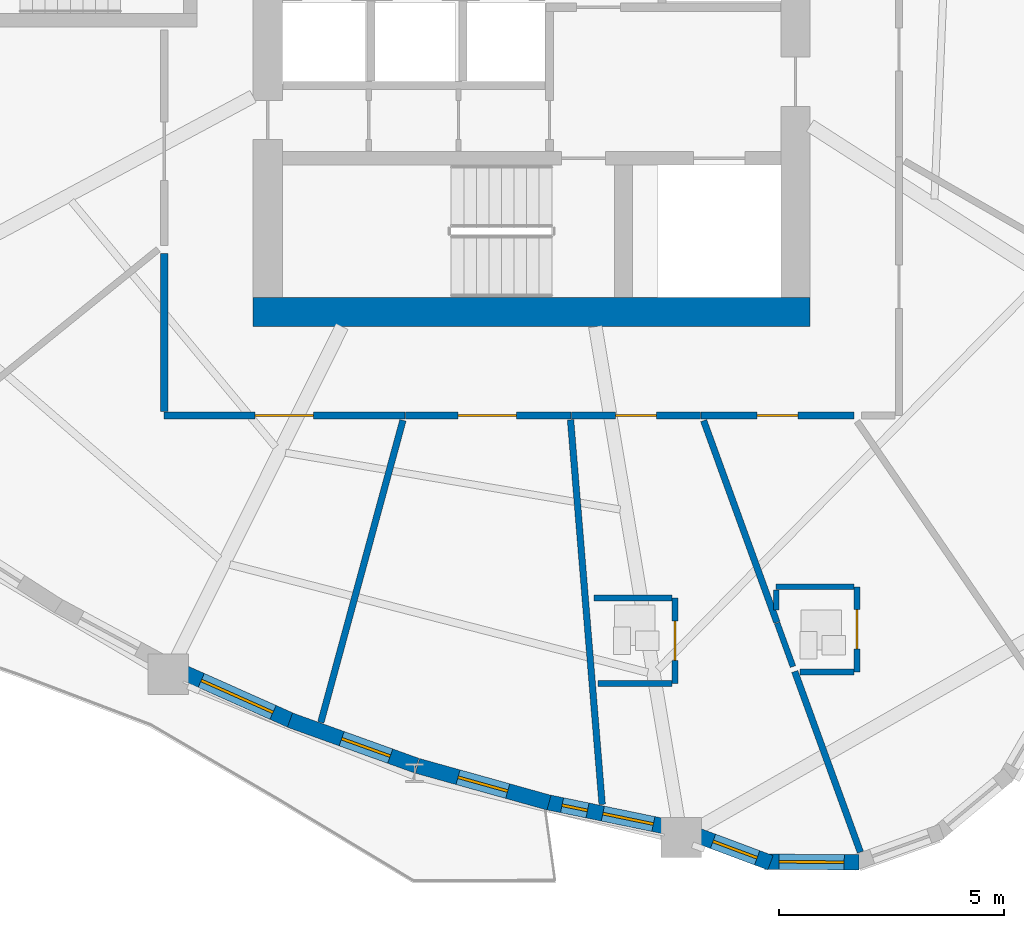
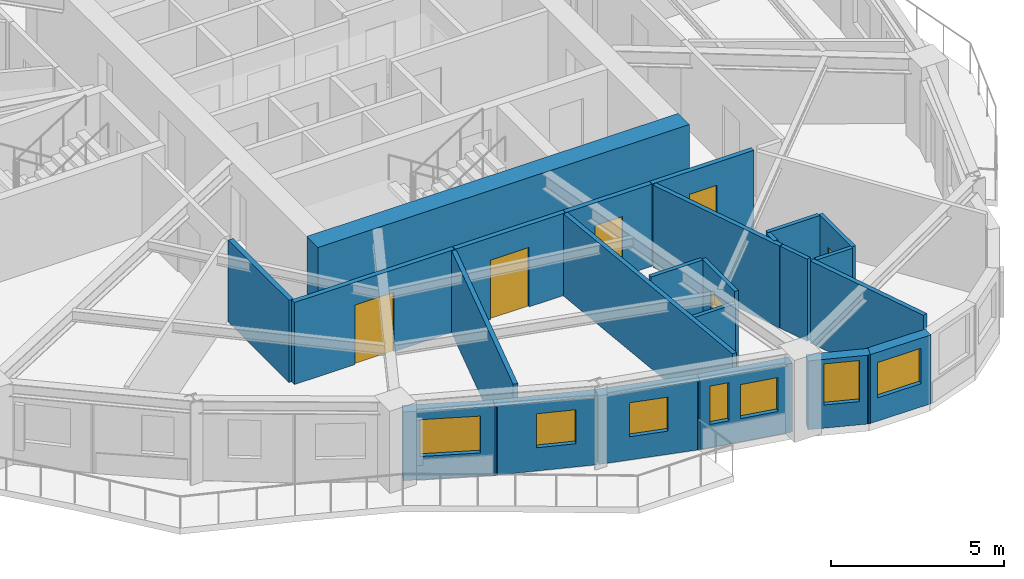
# One storey, part 3 of 12: 24 walls, 7 windows, 6 doors, 13 openings.
"""IFC4 building model written with IfcOpenShell, lengths in metres."""

from ifc_helpers import new_model, si_unit, direction, frame, frame_2d, origin, place, context, subcontext, project, spatial, rectangle, extrude, source, transform, mapped, material, layer, layer_set, type_object, element, fill, save


model = new_model("IFC4")

# Units and contexts
model_context = context("Model", 3, precision=1e-05, world=origin(), true_north=direction((0.0, 1.0)))
body_context = subcontext(model_context, "Body", "Model", "MODEL_VIEW")
ifc_project = project(units=[si_unit("LENGTHUNIT", "METRE"), si_unit("AREAUNIT", "SQUARE_METRE"), si_unit("VOLUMEUNIT", "CUBIC_METRE"), si_unit("PLANEANGLEUNIT", "RADIAN"), si_unit("MASSUNIT", "GRAM", prefix="KILO")], contexts=[model_context])

# Site, building, storey
site_placement = place(None, origin())
site = spatial("IfcSite", under=ifc_project, at=site_placement, CompositionType="ELEMENT")
building_placement = place(site_placement, origin())
building = spatial("IfcBuilding", under=site, at=building_placement, Name="Qafzar Sky-Pleat Residences", CompositionType="ELEMENT")
storey_placement = place(building_placement, frame((0.0, 0.0, 124.800048828125)))
storey = spatial("IfcBuildingStorey", under=building, at=storey_placement, Name="L37", CompositionType="ELEMENT", Elevation=124.800048828125)

# Wall, opening, door
ifc_material_1 = material(Name="Acoustic gypsum plasterboard partition", Category="gypsum")
ifc_layer_1 = layer(ifc_material_1, 0.159912109375)
ifc_layer_set_1 = layer_set([ifc_layer_1], Name="Acoustic gypsum plasterboard partition")
wall_type_1 = type_object("IfcWallType", Name="PART-COR-160", PredefinedType="PARTITIONING", material=ifc_layer_set_1)
wall_1_placement = place(storey_placement, frame((27.530029296875, 15.570068359375, 0.0), z_axis=(0.0, 0.0, 1.0), x_axis=(-1.0, 0.0, 0.0)))
wall_1 = element("IfcWall", 1, at=wall_1_placement, inside=storey, type_object=wall_type_1, Name="L37 Partition Wall PART-L37-PW-003", PredefinedType="PARTITIONING", context=body_context, shape_type="SweptSolid", body=[
    extrude(rectangle(XDim=5.360107421875, YDim=0.159912109375, at=frame_2d((2.68017578125, 0.0))), origin(), (0.0, 0.0, 1.0), 2.89990234375),
])
opening_1_placement = place(wall_1_placement, frame((2.0380859375, 0.0, 0.0)))
opening_1 = element("IfcOpeningElement", 2, at=opening_1_placement, cuts=wall_1, Name="Opening ID-05", PredefinedType="OPENING", context=body_context, shape_type="SweptSolid", body=[
    extrude(rectangle(XDim=1.300048828125, YDim=2.10009765625, at=frame_2d((0.64990234375, 1.050048828125))), frame((0.0, 0.08984375, 0.0), z_axis=(0.0, -1.0, 0.0), x_axis=(1.0, 0.0, 0.0)), (0.0, 0.0, 1.0), 0.179931640625),
])
ifc_material_2 = material(Name="Timber-faced fire door", Category="wood")
door_type_1 = type_object("IfcDoorType", Name="DR-LNG-1300", OperationType="DOUBLE_DOOR_SINGLE_SWING", PredefinedType="DOOR", material=ifc_material_2)
shared_shape_1 = source(origin(), body_context, "Body", "SweptSolid", [
    extrude(rectangle(XDim=1.300048828125, YDim=2.10009765625, at=frame_2d((0.64990234375, 1.050048828125))), frame((0.0, 0.02490234375, 0.0), z_axis=(0.0, -1.0, 0.0), x_axis=(1.0, 0.0, 0.0)), (0.0, 0.0, 1.0), 0.050048828125),
])
door_1_placement = place(opening_1_placement, origin())
door_1 = element("IfcDoor", 3, at=door_1_placement, inside=storey, type_object=door_type_1, Name="L37 Research Conference Room Door", OperationType="DOUBLE_DOOR_SINGLE_SWING", OverallHeight=2.10009765625, OverallWidth=1.300048828125, PredefinedType="DOOR", context=body_context, shape_type="MappedRepresentation", body=[
    mapped(shared_shape_1, transform((0.0, 0.0, 0.0), x_axis=(1.0, 0.0, 0.0), y_axis=(0.0, 1.0, 0.0), z_axis=(0.0, 0.0, 1.0), scale=1.0)),
])
fill(opening_1, door_1)

wall_2_placement = place(storey_placement, frame((31.22412109375, 15.570068359375, 0.0), z_axis=(0.0, 0.0, 1.0), x_axis=(-1.0, 0.0, 0.0)))
wall_2 = element("IfcWall", 4, at=wall_2_placement, inside=storey, type_object=wall_type_1, Name="L37 Partition Wall PART-L37-PW-008", PredefinedType="PARTITIONING", context=body_context, shape_type="SweptSolid", body=[
    extrude(rectangle(XDim=3.67919921875, YDim=0.159912109375, at=frame_2d((1.839599609375, 0.0))), origin(), (0.0, 0.0, 1.0), 2.89990234375),
])
opening_2_placement = place(wall_2_placement, frame((1.21240234375, 0.0, 0.0)))
opening_2 = element("IfcOpeningElement", 5, at=opening_2_placement, cuts=wall_2, Name="Opening ID-05", PredefinedType="OPENING", context=body_context, shape_type="SweptSolid", body=[
    extrude(rectangle(XDim=1.300048828125, YDim=2.10009765625, at=frame_2d((0.64990234375, 1.050048828125))), frame((0.0, 0.08984375, 0.0), z_axis=(0.0, -1.0, 0.0), x_axis=(1.0, 0.0, 0.0)), (0.0, 0.0, 1.0), 0.179931640625),
])
door_2_placement = place(opening_2_placement, origin())
door_2 = element("IfcDoor", 6, at=door_2_placement, inside=storey, type_object=door_type_1, Name="L37 Co-Living Lounge Door", OperationType="DOUBLE_DOOR_SINGLE_SWING", OverallHeight=2.10009765625, OverallWidth=1.300048828125, PredefinedType="DOOR", context=body_context, shape_type="MappedRepresentation", body=[
    mapped(shared_shape_1, transform((0.0, 0.0, 0.0), x_axis=(1.0, 0.0, 0.0), y_axis=(0.0, 1.0, 0.0), z_axis=(0.0, 0.0, 1.0), scale=1.0)),
])
fill(opening_2, door_2)

wall_3_placement = place(storey_placement, frame((37.52392578125, 15.570068359375, 0.0), z_axis=(0.0, 0.0, 1.0), x_axis=(-1.0, 0.0, 0.0)))
wall_3 = element("IfcWall", 7, at=wall_3_placement, inside=storey, type_object=wall_type_1, Name="L37 Partition Wall PART-L37-PW-010", PredefinedType="PARTITIONING", context=body_context, shape_type="SweptSolid", body=[
    extrude(rectangle(XDim=3.40087890625, YDim=0.159912109375, at=frame_2d((1.700439453125, 0.0))), origin(), (0.0, 0.0, 1.0), 2.89990234375),
])
opening_3_placement = place(wall_3_placement, frame((1.241455078125, 0.0, 0.0)))
opening_3 = element("IfcOpeningElement", 8, at=opening_3_placement, cuts=wall_3, Name="Opening ID-04", PredefinedType="OPENING", context=body_context, shape_type="SweptSolid", body=[
    extrude(rectangle(XDim=0.919921875, YDim=2.10009765625, at=frame_2d((0.4599609375, 1.050048828125))), frame((0.0, 0.08984375, 0.0), z_axis=(0.0, -1.0, 0.0), x_axis=(1.0, 0.0, 0.0)), (0.0, 0.0, 1.0), 0.179931640625),
])
door_type_2 = type_object("IfcDoorType", Name="DR-BED-920", OperationType="NOTDEFINED", PredefinedType="DOOR", material=ifc_material_2)
shared_shape_2 = source(origin(), body_context, "Body", "SweptSolid", [
    extrude(rectangle(XDim=0.919921875, YDim=2.10009765625, at=frame_2d((0.4599609375, 1.050048828125))), frame((0.0, 0.02490234375, 0.0), z_axis=(0.0, -1.0, 0.0), x_axis=(1.0, 0.0, 0.0)), (0.0, 0.0, 1.0), 0.050048828125),
])
door_3_placement = place(opening_3_placement, origin())
door_3 = element("IfcDoor", 9, at=door_3_placement, inside=storey, type_object=door_type_2, Name="L37 Co-Living Bedroom 4 Door", OperationType="SINGLE_SWING_LEFT", OverallHeight=2.10009765625, OverallWidth=0.919921875, PredefinedType="DOOR", context=body_context, shape_type="MappedRepresentation", body=[
    mapped(shared_shape_2, transform((0.0, 0.0, 0.0), x_axis=(1.0, 0.0, 0.0), y_axis=(0.0, 1.0, 0.0), z_axis=(0.0, 0.0, 1.0), scale=1.0)),
])
fill(opening_3, door_3)

wall_4_placement = place(storey_placement, frame((34.10791015625, 15.570068359375, 0.0), z_axis=(0.0, 0.0, 1.0), x_axis=(-1.0, 0.0, 0.0)))
wall_4 = element("IfcWall", 10, at=wall_4_placement, inside=storey, type_object=wall_type_1, Name="L37 Partition Wall PART-L37-PW-011", PredefinedType="PARTITIONING", context=body_context, shape_type="SweptSolid", body=[
    extrude(rectangle(XDim=2.868896484375, YDim=0.159912109375, at=frame_2d((1.4345703125, 0.0))), origin(), (0.0, 0.0, 1.0), 2.89990234375),
])
opening_4_placement = place(wall_4_placement, frame((0.97412109375, 0.0, 0.0)))
opening_4 = element("IfcOpeningElement", 11, at=opening_4_placement, cuts=wall_4, Name="Opening ID-04", PredefinedType="OPENING", context=body_context, shape_type="SweptSolid", body=[
    extrude(rectangle(XDim=0.919921875, YDim=2.10009765625, at=frame_2d((0.4599609375, 1.050048828125))), frame((0.0, 0.08984375, 0.0), z_axis=(0.0, -1.0, 0.0), x_axis=(1.0, 0.0, 0.0)), (0.0, 0.0, 1.0), 0.179931640625),
])
door_4_placement = place(opening_4_placement, origin())
door_4 = element("IfcDoor", 12, at=door_4_placement, inside=storey, type_object=door_type_2, Name="L37 Co-Living Bedroom 3 Door", OperationType="SINGLE_SWING_RIGHT", OverallHeight=2.10009765625, OverallWidth=0.919921875, PredefinedType="DOOR", context=body_context, shape_type="MappedRepresentation", body=[
    mapped(shared_shape_2, transform((0.0, 0.0, 0.0), x_axis=(1.0, 0.0, 0.0), y_axis=(0.0, 1.0, 0.0), z_axis=(0.0, 0.0, 1.0), scale=1.0)),
])
fill(opening_4, door_4)

# Walls
wall_5_placement = place(storey_placement, frame((22.169921875, 15.657958984375, 0.0), z_axis=(0.0, 0.0, 1.0), x_axis=(0.0, 1.0, 0.0)))
element("IfcWall", 13, at=wall_5_placement, inside=storey, type_object=wall_type_1, Name="L37 Partition Wall PART-L37-PW-039", PredefinedType="PARTITIONING", context=body_context, shape_type="SweptSolid", body=[
    extrude(rectangle(XDim=3.52001953125, YDim=0.159912109375, at=frame_2d((1.760009765625, 0.0))), origin(), (0.0, 0.0, 1.0), 2.89990234375),
])
ifc_layer_2 = layer(ifc_material_1, 0.14501953125)
ifc_layer_set_2 = layer_set([ifc_layer_2], Name="Acoustic gypsum plasterboard partition")
wall_type_2 = type_object("IfcWallType", Name="PART-UNIT-145", PredefinedType="PARTITIONING", material=ifc_layer_set_2)
wall_6_placement = place(storey_placement, frame((31.216796875, 15.47607421875, 0.0), z_axis=(0.0, 0.0, 1.0), x_axis=(0.081928316893, -0.996638224679, 0.0)))
element("IfcWall", 14, at=wall_6_placement, inside=storey, type_object=wall_type_2, Name="L37 Partition Wall PART-L37-PW-023", PredefinedType="PARTITIONING", context=body_context, shape_type="SweptSolid", body=[
    extrude(rectangle(XDim=8.591064453125, YDim=0.14501953125, at=frame_2d((4.29541015625, 0.0))), origin(), (0.0, 0.0, 1.0), 2.89990234375),
])
wall_7_placement = place(storey_placement, frame((25.6572265625, 8.739013671875, 0.0), z_axis=(0.0, 0.0, 1.0), x_axis=(0.26231095786, 0.964983399539, 0.0)))
element("IfcWall", 15, at=wall_7_placement, inside=storey, type_object=wall_type_2, Name="L37 Partition Wall PART-L37-PW-027", PredefinedType="PARTITIONING", context=body_context, shape_type="SweptSolid", body=[
    extrude(rectangle(XDim=6.96826171875, YDim=0.14501953125, at=frame_2d((3.484130859375, 0.0))), origin(), (0.0, 0.0, 1.0), 2.89990234375),
])
wall_8_placement = place(storey_placement, frame((34.1796875, 15.457763671875, 0.0), z_axis=(0.0, 0.0, 1.0), x_axis=(0.341373856507, -0.939927598325, 0.0)))
element("IfcWall", 16, at=wall_8_placement, inside=storey, type_object=wall_type_2, Name="L37 Partition Wall PART-L37-PW-035", PredefinedType="PARTITIONING", context=body_context, shape_type="SweptSolid", body=[
    extrude(rectangle(XDim=4.77880859375, YDim=0.14501953125, at=frame_2d((2.389404296875, 0.0))), origin(), (0.0, 0.0, 1.0), 2.89990234375),
])
wall_9_placement = place(storey_placement, frame((36.2080078125, 9.873046875, 0.0), z_axis=(0.0, 0.0, 1.0), x_axis=(0.341362804218, -0.939931612351, 0.0)))
element("IfcWall", 17, at=wall_9_placement, inside=storey, type_object=wall_type_2, Name="L37 Partition Wall PART-L37-PW-036", PredefinedType="PARTITIONING", context=body_context, shape_type="SweptSolid", body=[
    extrude(rectangle(XDim=4.279052734375, YDim=0.14501953125, at=frame_2d((2.1396484375, 0.0))), origin(), (0.0, 0.0, 1.0), 2.89990234375),
])

# Wall, opening, door
ifc_material_3 = material(Name="Moisture-resistant gypsum partition", Category="gypsum")
ifc_layer_3 = layer(ifc_material_3, 0.1298828125)
ifc_layer_set_3 = layer_set([ifc_layer_3], Name="Moisture-resistant gypsum partition")
wall_type_3 = type_object("IfcWallType", Name="PART-WET-130", PredefinedType="PARTITIONING", material=ifc_layer_set_3)
wall_10_placement = place(storey_placement, frame((33.54296875, 9.60791015625, 0.0), z_axis=(0.0, 0.0, 1.0), x_axis=(0.0, 1.0, 0.0)))
wall_10 = element("IfcWall", 18, at=wall_10_placement, inside=storey, type_object=wall_type_3, Name="L37 Partition Wall PART-L37-PW-016", PredefinedType="PARTITIONING", context=body_context, shape_type="SweptSolid", body=[
    extrude(rectangle(XDim=1.900146484375, YDim=0.1298828125, at=frame_2d((0.9501953125, 0.0))), origin(), (0.0, 0.0, 1.0), 2.89990234375),
])
opening_5_placement = place(wall_10_placement, frame((0.510009765625, 0.0, 0.0)))
opening_5 = element("IfcOpeningElement", 19, at=opening_5_placement, cuts=wall_10, Name="Opening ID-07", PredefinedType="OPENING", context=body_context, shape_type="SweptSolid", body=[
    extrude(rectangle(XDim=0.8798828125, YDim=2.050048828125, at=frame_2d((0.43994140625, 1.02490234375))), frame((0.0, 0.074951171875, 0.0), z_axis=(0.0, -1.0, 0.0), x_axis=(1.0, 0.0, 0.0)), (0.0, 0.0, 1.0), 0.14990234375),
])
door_type_3 = type_object("IfcDoorType", Name="DR-WET-880", OperationType="NOTDEFINED", PredefinedType="DOOR", material=ifc_material_2)
shared_shape_3 = source(origin(), body_context, "Body", "SweptSolid", [
    extrude(rectangle(XDim=0.8798828125, YDim=2.050048828125, at=frame_2d((0.43994140625, 1.02490234375))), frame((0.0, 0.02490234375, 0.0), z_axis=(0.0, -1.0, 0.0), x_axis=(1.0, 0.0, 0.0)), (0.0, 0.0, 1.0), 0.050048828125),
])
door_5_placement = place(opening_5_placement, origin())
door_5 = element("IfcDoor", 20, at=door_5_placement, inside=storey, type_object=door_type_3, Name="L37 En-suite Bathroom 3 Door", OperationType="SINGLE_SWING_LEFT", OverallHeight=2.050048828125, OverallWidth=0.8798828125, PredefinedType="DOOR", context=body_context, shape_type="MappedRepresentation", body=[
    mapped(shared_shape_3, transform((0.0, 0.0, 0.0), x_axis=(1.0, 0.0, 0.0), y_axis=(0.0, 1.0, 0.0), z_axis=(0.0, 0.0, 1.0), scale=1.0)),
])
fill(opening_5, door_5)

wall_11_placement = place(storey_placement, frame((37.595947265625, 9.85791015625, 0.0), z_axis=(0.0, 0.0, 1.0), x_axis=(0.0, 1.0, 0.0)))
wall_11 = element("IfcWall", 21, at=wall_11_placement, inside=storey, type_object=wall_type_3, Name="L37 Partition Wall PART-L37-PW-017", PredefinedType="PARTITIONING", context=body_context, shape_type="SweptSolid", body=[
    extrude(rectangle(XDim=1.900146484375, YDim=0.1298828125, at=frame_2d((0.9501953125, 0.0))), origin(), (0.0, 0.0, 1.0), 2.89990234375),
])
opening_6_placement = place(wall_11_placement, frame((0.510009765625, 0.0, 0.0)))
opening_6 = element("IfcOpeningElement", 22, at=opening_6_placement, cuts=wall_11, Name="Opening ID-07", PredefinedType="OPENING", context=body_context, shape_type="SweptSolid", body=[
    extrude(rectangle(XDim=0.8798828125, YDim=2.050048828125, at=frame_2d((0.43994140625, 1.02490234375))), frame((0.0, 0.074951171875, 0.0), z_axis=(0.0, -1.0, 0.0), x_axis=(1.0, 0.0, 0.0)), (0.0, 0.0, 1.0), 0.14990234375),
])
door_6_placement = place(opening_6_placement, origin())
door_6 = element("IfcDoor", 23, at=door_6_placement, inside=storey, type_object=door_type_3, Name="L37 En-suite Bathroom 4 Door", OperationType="SINGLE_SWING_RIGHT", OverallHeight=2.050048828125, OverallWidth=0.8798828125, PredefinedType="DOOR", context=body_context, shape_type="MappedRepresentation", body=[
    mapped(shared_shape_3, transform((0.0, 0.0, 0.0), x_axis=(1.0, 0.0, 0.0), y_axis=(0.0, 1.0, 0.0), z_axis=(0.0, 0.0, 1.0), scale=1.0)),
])
fill(opening_6, door_6)

# Walls
wall_12_placement = place(storey_placement, frame((31.742919921875, 11.508056640625, 0.0), z_axis=(0.0, 0.0, 1.0), x_axis=(1.0, 0.0, 0.0)))
element("IfcWall", 24, at=wall_12_placement, inside=storey, type_object=wall_type_3, Name="L37 Partition Wall PART-L37-PW-043", PredefinedType="PARTITIONING", context=body_context, shape_type="SweptSolid", body=[
    extrude(rectangle(XDim=1.72705078125, YDim=0.1298828125, at=frame_2d((0.863525390625, 0.0))), origin(), (0.0, 0.0, 1.0), 2.89990234375),
])
wall_13_placement = place(storey_placement, frame((31.8291015625, 9.60791015625, 0.0), z_axis=(0.0, 0.0, 1.0), x_axis=(1.0, 0.0, 0.0)))
element("IfcWall", 25, at=wall_13_placement, inside=storey, type_object=wall_type_3, Name="L37 Partition Wall PART-L37-PW-044", PredefinedType="PARTITIONING", context=body_context, shape_type="SweptSolid", body=[
    extrude(rectangle(XDim=1.640869140625, YDim=0.1298828125, at=frame_2d((0.8203125, 0.0))), origin(), (0.0, 0.0, 1.0), 2.508056640625),
])
wall_14_placement = place(storey_placement, frame((35.7958984375, 11.758056640625, 0.0), z_axis=(0.0, 0.0, 1.0), x_axis=(1.0, 0.0, 0.0)))
element("IfcWall", 26, at=wall_14_placement, inside=storey, type_object=wall_type_3, Name="L37 Partition Wall PART-L37-PW-046", PredefinedType="PARTITIONING", context=body_context, shape_type="SweptSolid", body=[
    extrude(rectangle(XDim=1.72705078125, YDim=0.1298828125, at=frame_2d((0.863525390625, 0.0))), origin(), (0.0, 0.0, 1.0), 2.89990234375),
])
wall_15_placement = place(storey_placement, frame((36.32275390625, 9.85791015625, 0.0), z_axis=(0.0, 0.0, 1.0), x_axis=(1.0, 0.0, 0.0)))
element("IfcWall", 27, at=wall_15_placement, inside=storey, type_object=wall_type_3, Name="L37 Partition Wall PART-L37-PW-049", PredefinedType="PARTITIONING", context=body_context, shape_type="SweptSolid", body=[
    extrude(rectangle(XDim=1.2001953125, YDim=0.1298828125, at=frame_2d((0.60009765625, 0.0))), origin(), (0.0, 0.0, 1.0), 2.89990234375),
])
wall_16_placement = place(storey_placement, frame((35.816162109375, 10.951904296875, 0.0), z_axis=(0.0, 0.0, 1.0), x_axis=(0.341515178303, -0.939876259403, 0.0)))
element("IfcWall", 28, at=wall_16_placement, inside=storey, type_object=wall_type_3, Name="L37 Partition Wall PART-L37-PW-052", PredefinedType="PARTITIONING", context=body_context, shape_type="SweptSolid", body=[
    extrude(rectangle(XDim=1.0322265625, YDim=0.1298828125, at=frame_2d((0.51611328125, 0.0))), origin(), (0.0, 0.0, 1.0), 2.89990234375),
])
wall_17_placement = place(storey_placement, frame((35.7958984375, 11.2470703125, 0.0), z_axis=(0.0, 0.0, 1.0), x_axis=(0.0, 1.0, 0.0)))
element("IfcWall", 29, at=wall_17_placement, inside=storey, type_object=wall_type_3, Name="L37 Partition Wall PART-L37-PW-055", PredefinedType="PARTITIONING", context=body_context, shape_type="SweptSolid", body=[
    extrude(rectangle(XDim=0.43798828125, YDim=0.1298828125, at=frame_2d((0.218994140625, 0.0))), origin(), (0.0, 0.0, 1.0), 2.89990234375),
])

# Wall, opening, window
ifc_material_4 = material(Name="Precast concrete C40/50 with honed Riyadh limestone", Category="concrete")
ifc_layer_4 = layer(ifc_material_4, 0.340087890625)
ifc_layer_set_4 = layer_set([ifc_layer_4], Name="Precast concrete C40/50 with honed Riyadh limestone")
wall_type_4 = type_object("IfcWallType", Name="WALL-EXT-340", PredefinedType="SOLIDWALL", material=ifc_layer_set_4)
wall_18_placement = place(storey_placement, frame((22.54443359375, 9.875244140625, 0.0), z_axis=(0.0, 0.0, 1.0), x_axis=(0.913404185574, -0.407053797153, 0.0)))
wall_18 = element("IfcWall", 30, at=wall_18_placement, inside=storey, type_object=wall_type_4, Name="L37 Limestone Facade Wall 13", PredefinedType="SOLIDWALL", context=body_context, shape_type="SweptSolid", body=[
    extrude(rectangle(XDim=2.746337890625, YDim=0.340087890625, at=frame_2d((1.373046875, 0.0))), origin(), (0.0, 0.0, 1.0), 2.429931640625),
])
opening_7_placement = place(wall_18_placement, frame((0.4931640625, 0.0, 0.820068359375)))
opening_7 = element("IfcOpeningElement", 31, at=opening_7_placement, cuts=wall_18, Name="Opening WN-14", PredefinedType="OPENING", context=body_context, shape_type="SweptSolid", body=[
    extrude(rectangle(XDim=1.75, YDim=1.300048828125, at=frame_2d((0.875, 0.64990234375))), frame((0.0, 0.18017578125, 0.0), z_axis=(0.0, -1.0, 0.0), x_axis=(1.0, 0.0, 0.0)), (0.0, 0.0, 1.0), 0.360107421875),
])
ifc_material_5 = material(Name="Solar-control low-E glass in bronze aluminium frame", Category="glass")
window_type_1 = type_object("IfcWindowType", Name="WIN-14", PartitioningType="DOUBLE_PANEL_VERTICAL", PredefinedType="WINDOW", material=ifc_material_5)
shared_shape_4 = source(origin(), body_context, "Body", "SweptSolid", [
    extrude(rectangle(XDim=1.75, YDim=1.300048828125, at=frame_2d((0.875, 0.64990234375))), frame((0.0, 0.030029296875, 0.0), z_axis=(0.0, -1.0, 0.0), x_axis=(1.0, 0.0, 0.0)), (0.0, 0.0, 1.0), 0.06005859375),
])
window_1_placement = place(opening_7_placement, origin())
window_1 = element("IfcWindow", 32, at=window_1_placement, inside=storey, type_object=window_type_1, Name="L37 Punched Facade Window 13", OverallHeight=1.300048828125, OverallWidth=1.75, PartitioningType="SINGLE_PANEL", PredefinedType="WINDOW", context=body_context, shape_type="MappedRepresentation", body=[
    mapped(shared_shape_4, transform((0.0, 0.0, 0.0), x_axis=(1.0, 0.0, 0.0), y_axis=(0.0, 1.0, 0.0), z_axis=(0.0, 0.0, 1.0), scale=1.0)),
])
fill(opening_7, window_1)

wall_19_placement = place(storey_placement, frame((24.970703125, 8.790283203125, 0.0), z_axis=(0.0, 0.0, 1.0), x_axis=(0.941086086789, -0.338167084814, 0.0)))
wall_19 = element("IfcWall", 33, at=wall_19_placement, inside=storey, type_object=wall_type_4, Name="L37 Limestone Facade Wall 14", PredefinedType="SOLIDWALL", context=body_context, shape_type="SweptSolid", body=[
    extrude(rectangle(XDim=2.989501953125, YDim=0.340087890625, at=frame_2d((1.49462890625, 0.0))), origin(), (0.0, 0.0, 1.0), 2.429931640625),
])
opening_8_placement = place(wall_19_placement, frame((1.222412109375, 0.0, 0.820068359375)))
opening_8 = element("IfcOpeningElement", 34, at=opening_8_placement, cuts=wall_19, Name="Opening WN-16", PredefinedType="OPENING", context=body_context, shape_type="SweptSolid", body=[
    extrude(rectangle(XDim=1.14990234375, YDim=1.199951171875, at=frame_2d((0.574951171875, 0.60009765625))), frame((0.0, 0.18017578125, 0.0), z_axis=(0.0, -1.0, 0.0), x_axis=(1.0, 0.0, 0.0)), (0.0, 0.0, 1.0), 0.360107421875),
])
window_type_2 = type_object("IfcWindowType", Name="WIN-16", PartitioningType="SINGLE_PANEL", PredefinedType="WINDOW", material=ifc_material_5)
shared_shape_5 = source(origin(), body_context, "Body", "SweptSolid", [
    extrude(rectangle(XDim=1.14990234375, YDim=1.199951171875, at=frame_2d((0.574951171875, 0.60009765625))), frame((0.0, 0.030029296875, 0.0), z_axis=(0.0, -1.0, 0.0), x_axis=(1.0, 0.0, 0.0)), (0.0, 0.0, 1.0), 0.06005859375),
])
window_2_placement = place(opening_8_placement, origin())
window_2 = element("IfcWindow", 35, at=window_2_placement, inside=storey, type_object=window_type_2, Name="L37 Punched Facade Window 14-2", OverallHeight=1.199951171875, OverallWidth=1.14990234375, PartitioningType="SINGLE_PANEL", PredefinedType="WINDOW", context=body_context, shape_type="MappedRepresentation", body=[
    mapped(shared_shape_5, transform((0.0, 0.0, 0.0), x_axis=(1.0, 0.0, 0.0), y_axis=(0.0, 1.0, 0.0), z_axis=(0.0, 0.0, 1.0), scale=1.0)),
])
fill(opening_8, window_2)

wall_20_placement = place(storey_placement, frame((27.810546875, 7.77099609375, 0.0), z_axis=(0.0, 0.0, 1.0), x_axis=(0.963039905189, -0.269358758934, 0.0)))
wall_20 = element("IfcWall", 36, at=wall_20_placement, inside=storey, type_object=wall_type_4, Name="L37 Limestone Facade Wall 15", PredefinedType="SOLIDWALL", context=body_context, shape_type="SweptSolid", body=[
    extrude(rectangle(XDim=3.0390625, YDim=0.340087890625, at=frame_2d((1.51953125, 0.0))), origin(), (0.0, 0.0, 1.0), 2.429931640625),
])
opening_9_placement = place(wall_20_placement, frame((0.9345703125, 0.0, 0.820068359375)))
opening_9 = element("IfcOpeningElement", 37, at=opening_9_placement, cuts=wall_20, Name="Opening WN-16", PredefinedType="OPENING", context=body_context, shape_type="SweptSolid", body=[
    extrude(rectangle(XDim=1.14990234375, YDim=1.199951171875, at=frame_2d((0.574951171875, 0.60009765625))), frame((0.0, 0.18017578125, 0.0), z_axis=(0.0, -1.0, 0.0), x_axis=(1.0, 0.0, 0.0)), (0.0, 0.0, 1.0), 0.360107421875),
])
window_3_placement = place(opening_9_placement, origin())
window_3 = element("IfcWindow", 38, at=window_3_placement, inside=storey, type_object=window_type_2, Name="L37 Punched Facade Window 15", OverallHeight=1.199951171875, OverallWidth=1.14990234375, PartitioningType="SINGLE_PANEL", PredefinedType="WINDOW", context=body_context, shape_type="MappedRepresentation", body=[
    mapped(shared_shape_5, transform((0.0, 0.0, 0.0), x_axis=(1.0, 0.0, 0.0), y_axis=(0.0, 1.0, 0.0), z_axis=(0.0, 0.0, 1.0), scale=1.0)),
])
fill(opening_9, window_3)

# Wall, openings, windows
wall_21_placement = place(storey_placement, frame((30.65185546875, 6.97314453125, 0.0), z_axis=(0.0, 0.0, 1.0), x_axis=(0.979418300652, -0.201841007595, 0.0)))
wall_21 = element("IfcWall", 39, at=wall_21_placement, inside=storey, type_object=wall_type_4, Name="L37 Limestone Facade Wall 16", PredefinedType="SOLIDWALL", context=body_context, shape_type="SweptSolid", body=[
    extrude(rectangle(XDim=2.893310546875, YDim=0.340087890625, at=frame_2d((1.44677734375, 0.0))), origin(), (0.0, 0.0, 1.0), 2.429931640625),
])
opening_10_placement = place(wall_21_placement, frame((0.383056640625, 0.0, 0.820068359375)))
opening_10 = element("IfcOpeningElement", 40, at=opening_10_placement, cuts=wall_21, Name="Opening WN-17", PredefinedType="OPENING", context=body_context, shape_type="SweptSolid", body=[
    extrude(rectangle(XDim=0.580078125, YDim=1.35009765625, at=frame_2d((0.2900390625, 0.675048828125))), frame((0.0, 0.18017578125, 0.0), z_axis=(0.0, -1.0, 0.0), x_axis=(1.0, 0.0, 0.0)), (0.0, 0.0, 1.0), 0.360107421875),
])
opening_11_placement = place(wall_21_placement, frame((1.309814453125, 0.0, 0.820068359375)))
opening_11 = element("IfcOpeningElement", 41, at=opening_11_placement, cuts=wall_21, Name="Opening WN-16", PredefinedType="OPENING", context=body_context, shape_type="SweptSolid", body=[
    extrude(rectangle(XDim=1.14990234375, YDim=1.199951171875, at=frame_2d((0.574951171875, 0.60009765625))), frame((0.0, 0.18017578125, 0.0), z_axis=(0.0, -1.0, 0.0), x_axis=(1.0, 0.0, 0.0)), (0.0, 0.0, 1.0), 0.360107421875),
])
window_type_3 = type_object("IfcWindowType", Name="WIN-17", PartitioningType="SINGLE_PANEL", PredefinedType="WINDOW", material=ifc_material_5)
shared_shape_6 = source(origin(), body_context, "Body", "SweptSolid", [
    extrude(rectangle(XDim=0.580078125, YDim=1.35009765625, at=frame_2d((0.2900390625, 0.675048828125))), frame((0.0, 0.030029296875, 0.0), z_axis=(0.0, -1.0, 0.0), x_axis=(1.0, 0.0, 0.0)), (0.0, 0.0, 1.0), 0.06005859375),
])
window_4_placement = place(opening_10_placement, origin())
window_4 = element("IfcWindow", 42, at=window_4_placement, inside=storey, type_object=window_type_3, Name="L37 Punched Facade Window 16", OverallHeight=1.35009765625, OverallWidth=0.580078125, PartitioningType="SINGLE_PANEL", PredefinedType="WINDOW", context=body_context, shape_type="MappedRepresentation", body=[
    mapped(shared_shape_6, transform((0.0, 0.0, 0.0), x_axis=(1.0, 0.0, 0.0), y_axis=(0.0, 1.0, 0.0), z_axis=(0.0, 0.0, 1.0), scale=1.0)),
])
fill(opening_10, window_4)
window_5_placement = place(opening_11_placement, origin())
window_5 = element("IfcWindow", 43, at=window_5_placement, inside=storey, type_object=window_type_2, Name="L37 Punched Facade Window 16-2", OverallHeight=1.199951171875, OverallWidth=1.14990234375, PartitioningType="SINGLE_PANEL", PredefinedType="WINDOW", context=body_context, shape_type="MappedRepresentation", body=[
    mapped(shared_shape_5, transform((0.0, 0.0, 0.0), x_axis=(1.0, 0.0, 0.0), y_axis=(0.0, 1.0, 0.0), z_axis=(0.0, 0.0, 1.0), scale=1.0)),
])
fill(opening_11, window_5)

# Wall, opening, window
wall_22_placement = place(storey_placement, frame((33.95166015625, 6.2548828125, 0.0), z_axis=(0.0, 0.0, 1.0), x_axis=(0.936799566991, -0.349866504951, 0.0)))
wall_22 = element("IfcWall", 44, at=wall_22_placement, inside=storey, type_object=wall_type_4, Name="L37 Limestone Facade Wall 17", PredefinedType="SOLIDWALL", context=body_context, shape_type="SweptSolid", body=[
    extrude(rectangle(XDim=1.8310546875, YDim=0.340087890625, at=frame_2d((0.91552734375, 0.0))), origin(), (0.0, 0.0, 1.0), 2.429931640625),
])
opening_12_placement = place(wall_22_placement, frame((0.465576171875, 0.0, 0.820068359375)))
opening_12 = element("IfcOpeningElement", 45, at=opening_12_placement, cuts=wall_22, Name="Opening WN-06", PredefinedType="OPENING", context=body_context, shape_type="SweptSolid", body=[
    extrude(rectangle(XDim=1.050048828125, YDim=1.449951171875, at=frame_2d((0.52490234375, 0.72509765625))), frame((0.0, 0.18017578125, 0.0), z_axis=(0.0, -1.0, 0.0), x_axis=(1.0, 0.0, 0.0)), (0.0, 0.0, 1.0), 0.360107421875),
])
window_type_4 = type_object("IfcWindowType", Name="WIN-06", PartitioningType="SINGLE_PANEL", PredefinedType="WINDOW", material=ifc_material_5)
shared_shape_7 = source(origin(), body_context, "Body", "SweptSolid", [
    extrude(rectangle(XDim=1.050048828125, YDim=1.449951171875, at=frame_2d((0.52490234375, 0.72509765625))), frame((0.0, 0.030029296875, 0.0), z_axis=(0.0, -1.0, 0.0), x_axis=(1.0, 0.0, 0.0)), (0.0, 0.0, 1.0), 0.06005859375),
])
window_6_placement = place(opening_12_placement, origin())
window_6 = element("IfcWindow", 46, at=window_6_placement, inside=storey, type_object=window_type_4, Name="L37 Punched Facade Window 17", OverallHeight=1.449951171875, OverallWidth=1.050048828125, PartitioningType="SINGLE_PANEL", PredefinedType="WINDOW", context=body_context, shape_type="MappedRepresentation", body=[
    mapped(shared_shape_7, transform((0.0, 0.0, 0.0), x_axis=(1.0, 0.0, 0.0), y_axis=(0.0, 1.0, 0.0), z_axis=(0.0, 0.0, 1.0), scale=1.0)),
])
fill(opening_12, window_6)

wall_23_placement = place(storey_placement, frame((35.534912109375, 5.638671875, 0.0), z_axis=(0.0, 0.0, 1.0), x_axis=(0.999976456891, -0.00686189939, 0.0)))
wall_23 = element("IfcWall", 47, at=wall_23_placement, inside=storey, type_object=wall_type_4, Name="L37 Limestone Facade Wall 18", PredefinedType="SOLIDWALL", context=body_context, shape_type="SweptSolid", body=[
    extrude(rectangle(XDim=2.09912109375, YDim=0.340087890625, at=frame_2d((1.049560546875, 0.0))), origin(), (0.0, 0.0, 1.0), 2.429931640625),
])
opening_13_placement = place(wall_23_placement, frame((0.324462890625, 0.0, 0.820068359375)))
opening_13 = element("IfcOpeningElement", 48, at=opening_13_placement, cuts=wall_23, Name="Opening WN-15", PredefinedType="OPENING", context=body_context, shape_type="SweptSolid", body=[
    extrude(rectangle(XDim=1.449951171875, YDim=1.25, at=frame_2d((0.72509765625, 0.625))), frame((0.0, 0.18017578125, 0.0), z_axis=(0.0, -1.0, 0.0), x_axis=(1.0, 0.0, 0.0)), (0.0, 0.0, 1.0), 0.360107421875),
])
window_type_5 = type_object("IfcWindowType", Name="WIN-15", PartitioningType="SINGLE_PANEL", PredefinedType="WINDOW", material=ifc_material_5)
shared_shape_8 = source(origin(), body_context, "Body", "SweptSolid", [
    extrude(rectangle(XDim=1.449951171875, YDim=1.25, at=frame_2d((0.72509765625, 0.625))), frame((0.0, 0.030029296875, 0.0), z_axis=(0.0, -1.0, 0.0), x_axis=(1.0, 0.0, 0.0)), (0.0, 0.0, 1.0), 0.06005859375),
])
window_7_placement = place(opening_13_placement, origin())
window_7 = element("IfcWindow", 49, at=window_7_placement, inside=storey, type_object=window_type_5, Name="L37 Punched Facade Window 18", OverallHeight=1.25, OverallWidth=1.449951171875, PartitioningType="SINGLE_PANEL", PredefinedType="WINDOW", context=body_context, shape_type="MappedRepresentation", body=[
    mapped(shared_shape_8, transform((0.0, 0.0, 0.0), x_axis=(1.0, 0.0, 0.0), y_axis=(0.0, 1.0, 0.0), z_axis=(0.0, 0.0, 1.0), scale=1.0)),
])
fill(opening_13, window_7)

# Wall
ifc_material_6 = material(Name="Concrete C60/75", Category="concrete")
ifc_layer_5 = layer(ifc_material_6, 0.64990234375)
ifc_layer_set_5 = layer_set([ifc_layer_5], Name="Concrete C60/75")
wall_type_5 = type_object("IfcWallType", Name="WALL-SHEAR-650", PredefinedType="SHEAR", material=ifc_layer_set_5)
wall_24_placement = place(storey_placement, frame((24.14990234375, 17.875, 0.0), z_axis=(0.0, 0.0, 1.0), x_axis=(1.0, 0.0, 0.0)))
element("IfcWall", 50, at=wall_24_placement, inside=storey, type_object=wall_type_5, Name="L37 CORE wall S", PredefinedType="SHEAR", context=body_context, shape_type="SweptSolid", body=[
    extrude(rectangle(XDim=12.400146484375, YDim=0.64990234375, at=frame_2d((6.2001953125, 0.0))), origin(), (0.0, 0.0, 1.0), 2.89990234375),
])

save(model, "model.ifc")
